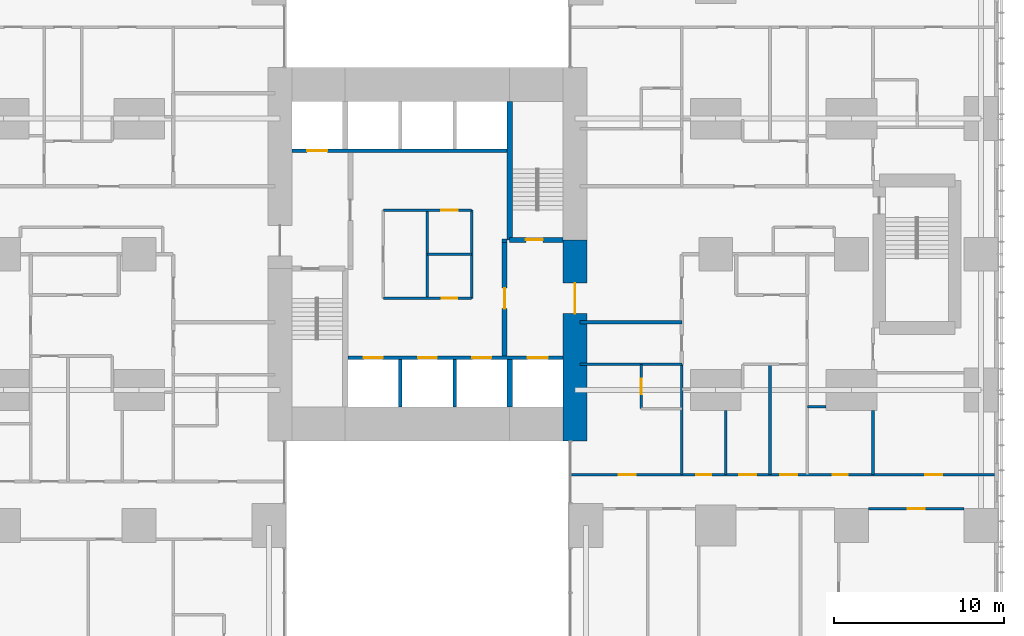
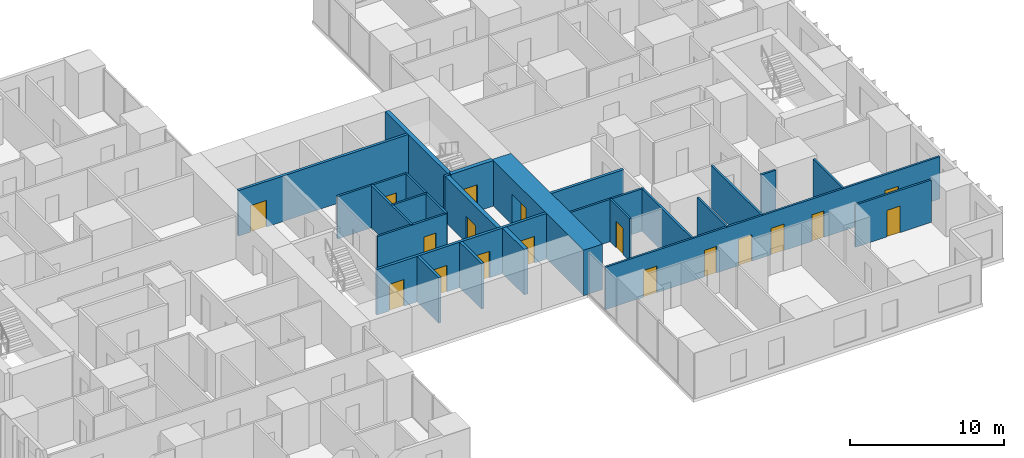
# One storey, part 15 of 21: 25 walls, 18 doors, 18 openings.
"""IFC4 building model written with IfcOpenShell, lengths in metres."""

from ifc_helpers import new_model, si_unit, direction, frame, frame_2d, origin, place, context, subcontext, project, spatial, rectangle, extrude, material, layer, layer_set, type_object, element, fill, save


model = new_model("IFC4")

# Units and contexts
model_context = context("Model", 3, precision=1e-05, world=origin(), true_north=direction((0.0, 1.0)))
body_context = subcontext(model_context, "Body", "Model", "MODEL_VIEW")
ifc_project = project(units=[si_unit("LENGTHUNIT", "METRE"), si_unit("AREAUNIT", "SQUARE_METRE"), si_unit("VOLUMEUNIT", "CUBIC_METRE"), si_unit("PLANEANGLEUNIT", "RADIAN"), si_unit("MASSUNIT", "GRAM", prefix="KILO")], contexts=[model_context])

# Site, building, storey
site_placement = place(None, origin())
site = spatial("IfcSite", under=ifc_project, at=site_placement, CompositionType="ELEMENT")
building_placement = place(site_placement, origin())
building = spatial("IfcBuilding", under=site, at=building_placement, Name="Cleftline Residences", CompositionType="ELEMENT")
storey_placement = place(building_placement, frame((0.0, 0.0, 161.0)))
storey = spatial("IfcBuildingStorey", under=building, at=storey_placement, Name="L42", CompositionType="ELEMENT", Elevation=161.0)

# Wall, opening, door
ifc_material_1 = material(Name="Concrete B70", Category="concrete")
ifc_layer_1 = layer(ifc_material_1, 1.39990234375)
ifc_layer_set_1 = layer_set([ifc_layer_1], Name="CORE WALL 1400")
wall_type_1 = type_object("IfcWallType", Name="CORE WALL 1400", PredefinedType="SHEAR", material=ifc_layer_set_1)
wall_1_placement = place(storey_placement, frame((41.699951171875, 13.0, 0.0), z_axis=(0.0, 0.0, 1.0), x_axis=(0.0, 1.0, 0.0)))
wall_1 = element("IfcWall", 1, at=wall_1_placement, inside=storey, type_object=wall_type_1, Name="Core wall E", PredefinedType="SHEAR", context=body_context, shape_type="SweptSolid", body=[
    extrude(rectangle(XDim=11.85009765625, YDim=1.39990234375, at=frame_2d((5.925048828125, 0.0))), origin(), (0.0, 0.0, 1.0), 3.60009765625),
])
opening_1_placement = place(wall_1_placement, frame((7.5, 0.0, 0.0)))
opening_1 = element("IfcOpeningElement", 2, at=opening_1_placement, cuts=wall_1, Name="Opening D7", PredefinedType="OPENING", context=body_context, shape_type="SweptSolid", body=[
    extrude(rectangle(XDim=1.800048828125, YDim=2.39990234375, at=frame_2d((0.89990234375, 1.199951171875))), frame((0.0, 0.7099609375, 0.0), z_axis=(0.0, -1.0, 0.0), x_axis=(1.0, 0.0, 0.0)), (0.0, 0.0, 1.0), 1.419921875),
])
ifc_material_2 = material(Name="Steel", Category="steel")
door_type_1 = type_object("IfcDoorType", Name="WING DOOR 1800X2400", OperationType="DOUBLE_DOOR_DOUBLE_SWING", PredefinedType="DOOR", material=ifc_material_2)
door_1_placement = place(opening_1_placement, origin())
door_1 = element("IfcDoor", 3, at=door_1_placement, inside=storey, type_object=door_type_1, Name="East wing door", OperationType="DOUBLE_DOOR_DOUBLE_SWING", OverallHeight=2.39990234375, OverallWidth=1.800048828125, PredefinedType="DOOR", context=body_context, shape_type="SweptSolid", body=[
    extrude(rectangle(XDim=1.800048828125, YDim=2.39990234375, at=frame_2d((0.89990234375, 1.199951171875))), frame((0.0, 0.02490234375, 0.0), z_axis=(0.0, -1.0, 0.0), x_axis=(1.0, 0.0, 0.0)), (0.0, 0.0, 1.0), 0.050048828125),
])
fill(opening_1, door_1)

# Wall
ifc_material_3 = material(Name="Concrete B70", Category="concrete")
ifc_layer_2 = layer(ifc_material_3, 0.300048828125)
ifc_layer_set_2 = layer_set([ifc_layer_2], Name="CORE WALL 300")
wall_type_2 = type_object("IfcWallType", Name="CORE WALL 300", PredefinedType="SHEAR", material=ifc_layer_set_2)
wall_2_placement = place(storey_placement, frame((37.85009765625, 24.85009765625, 0.0), z_axis=(0.0, 0.0, 1.0), x_axis=(0.0, 1.0, 0.0)))
element("IfcWall", 4, at=wall_2_placement, inside=storey, type_object=wall_type_2, Name="Core wall SB-W", PredefinedType="SHEAR", context=body_context, shape_type="SweptSolid", body=[
    extrude(rectangle(XDim=8.14990234375, YDim=0.300048828125, at=frame_2d((4.074951171875, 0.0))), origin(), (0.0, 0.0, 1.0), 3.60009765625),
])

# Wall, opening, door
wall_3_placement = place(storey_placement, frame((37.85009765625, 24.85009765625, 0.0), z_axis=(0.0, 0.0, 1.0), x_axis=(1.0, 0.0, 0.0)))
wall_3 = element("IfcWall", 5, at=wall_3_placement, inside=storey, type_object=wall_type_2, Name="Core wall SB-S", PredefinedType="SHEAR", context=body_context, shape_type="SweptSolid", body=[
    extrude(rectangle(XDim=3.14990234375, YDim=0.300048828125, at=frame_2d((1.574951171875, 0.0))), origin(), (0.0, 0.0, 1.0), 3.60009765625),
])
opening_2_placement = place(wall_3_placement, frame((0.949951171875, 0.0, 0.0)))
opening_2 = element("IfcOpeningElement", 6, at=opening_2_placement, cuts=wall_3, Name="Opening D5", PredefinedType="OPENING", context=body_context, shape_type="SweptSolid", body=[
    extrude(rectangle(XDim=1.0, YDim=2.10009765625, at=frame_2d((0.5, 1.050048828125))), frame((0.0, 0.159912109375, 0.0), z_axis=(0.0, -1.0, 0.0), x_axis=(1.0, 0.0, 0.0)), (0.0, 0.0, 1.0), 0.320068359375),
])
ifc_material_4 = material(Name="Steel", Category="steel")
door_type_2 = type_object("IfcDoorType", Name="STAIR DOOR 1000X2100", OperationType="SINGLE_SWING_LEFT", PredefinedType="DOOR", material=ifc_material_4)
door_2_placement = place(opening_2_placement, origin())
door_2 = element("IfcDoor", 7, at=door_2_placement, inside=storey, type_object=door_type_2, Name="Stair B door", OperationType="SINGLE_SWING_RIGHT", OverallHeight=2.10009765625, OverallWidth=1.0, PredefinedType="DOOR", context=body_context, shape_type="SweptSolid", body=[
    extrude(rectangle(XDim=1.0, YDim=2.10009765625, at=frame_2d((0.5, 1.050048828125))), frame((0.0, 0.02490234375, 0.0), z_axis=(0.0, -1.0, 0.0), x_axis=(1.0, 0.0, 0.0)), (0.0, 0.0, 1.0), 0.050048828125),
])
fill(opening_2, door_2)

# Walls
wall_4_placement = place(storey_placement, frame((37.85009765625, 15.0, 0.0), z_axis=(0.0, 0.0, 1.0), x_axis=(0.0, 1.0, 0.0)))
element("IfcWall", 8, at=wall_4_placement, inside=storey, type_object=wall_type_2, Name="Lift shaft wall", PredefinedType="SHEAR", context=body_context, shape_type="SweptSolid", body=[
    extrude(rectangle(XDim=2.800048828125, YDim=0.300048828125, at=frame_2d((1.39990234375, 0.0))), origin(), (0.0, 0.0, 1.0), 3.60009765625),
])
ifc_material_5 = material(Name="Concrete blockwork, fire rated", Category="masonry")
ifc_layer_3 = layer(ifc_material_5, 0.199951171875)
ifc_layer_set_3 = layer_set([ifc_layer_3], Name="FIRE WALL 200")
wall_type_3 = type_object("IfcWallType", Name="FIRE WALL 200", PredefinedType="PARTITIONING", material=ifc_layer_set_3)
wall_5_placement = place(storey_placement, frame((42.0, 20.0, 0.0), z_axis=(0.0, 0.0, 1.0), x_axis=(1.0, 0.0, 0.0)))
element("IfcWall", 9, at=wall_5_placement, inside=storey, type_object=wall_type_3, Name="Fire separating wall", PredefinedType="PARTITIONING", context=body_context, shape_type="SweptSolid", body=[
    extrude(rectangle(XDim=6.0, YDim=0.199951171875, at=frame_2d((3.0, 0.0))), origin(), (0.0, 0.0, 1.0), 3.35009765625),
])
wall_6_placement = place(storey_placement, frame((37.39990234375, 24.800048828125, 0.0), z_axis=(0.0, 0.0, 1.0), x_axis=(1.0, 0.0, 0.0)))
element("IfcWall", 10, at=wall_6_placement, inside=storey, type_object=wall_type_3, Name="Fire separating wall", PredefinedType="PARTITIONING", context=body_context, shape_type="SweptSolid", body=[
    extrude(rectangle(XDim=0.300048828125, YDim=0.199951171875, at=frame_2d((0.14990234375, 0.0))), origin(), (0.0, 0.0, 1.0), 3.60009765625),
])

# Wall, opening, door
ifc_material_6 = material(Name="Gypsum board on steel studs", Category="steel")
ifc_layer_4 = layer(ifc_material_6, 0.14990234375)
ifc_layer_set_4 = layer_set([ifc_layer_4], Name="PARTITION 150")
wall_type_4 = type_object("IfcWallType", Name="PARTITION 150", PredefinedType="PARTITIONING", material=ifc_layer_set_4)
wall_7_placement = place(storey_placement, frame((59.0, 9.0, 0.0), z_axis=(0.0, 0.0, 1.0), x_axis=(1.0, 0.0, 0.0)))
wall_7 = element("IfcWall", 11, at=wall_7_placement, inside=storey, type_object=wall_type_4, Name="Partition", PredefinedType="PARTITIONING", context=body_context, shape_type="SweptSolid", body=[
    extrude(rectangle(XDim=5.64990234375, YDim=0.14990234375, at=frame_2d((2.824951171875, 0.0))), origin(), (0.0, 0.0, 1.0), 3.35009765625),
])
opening_3_placement = place(wall_7_placement, frame((2.324951171875, 0.0, 0.0)))
opening_3 = element("IfcOpeningElement", 12, at=opening_3_placement, cuts=wall_7, Name="Opening D2", PredefinedType="OPENING", context=body_context, shape_type="SweptSolid", body=[
    extrude(rectangle(XDim=1.0, YDim=2.10009765625, at=frame_2d((0.5, 1.050048828125))), frame((0.0, 0.0849609375, 0.0), z_axis=(0.0, -1.0, 0.0), x_axis=(1.0, 0.0, 0.0)), (0.0, 0.0, 1.0), 0.169921875),
])
ifc_material_7 = material(Name="Timber veneer on solid core", Category="wood")
door_type_3 = type_object("IfcDoorType", Name="DOOR 1000X2100", OperationType="SINGLE_SWING_LEFT", PredefinedType="DOOR", material=ifc_material_7)
door_3_placement = place(opening_3_placement, origin())
door_3 = element("IfcDoor", 13, at=door_3_placement, inside=storey, type_object=door_type_3, Name="Door to sea-view living room", OperationType="SINGLE_SWING_LEFT", OverallHeight=2.10009765625, OverallWidth=1.0, PredefinedType="DOOR", context=body_context, shape_type="SweptSolid", body=[
    extrude(rectangle(XDim=1.0, YDim=2.10009765625, at=frame_2d((0.5, 1.050048828125))), frame((0.0, 0.02490234375, 0.0), z_axis=(0.0, -1.0, 0.0), x_axis=(1.0, 0.0, 0.0)), (0.0, 0.0, 1.0), 0.050048828125),
])
fill(opening_3, door_3)

# Wall, openings, doors
wall_8_placement = place(storey_placement, frame((41.43896484375, 11.0, 0.0), z_axis=(0.0, 0.0, 1.0), x_axis=(1.0, 0.0, 0.0)))
wall_8 = element("IfcWall", 14, at=wall_8_placement, inside=storey, type_object=wall_type_4, Name="Partition", PredefinedType="PARTITIONING", context=body_context, shape_type="SweptSolid", body=[
    extrude(rectangle(XDim=25.010986328125, YDim=0.14990234375, at=frame_2d((12.50537109375, 0.0))), origin(), (0.0, 0.0, 1.0), 3.35009765625),
])
opening_4_placement = place(wall_8_placement, frame((12.361083984375, 0.0, 0.0)))
opening_4 = element("IfcOpeningElement", 15, at=opening_4_placement, cuts=wall_8, Name="Opening D2F30", PredefinedType="OPENING", context=body_context, shape_type="SweptSolid", body=[
    extrude(rectangle(XDim=1.0, YDim=2.10009765625, at=frame_2d((0.5, 1.050048828125))), frame((0.0, 0.0849609375, 0.0), z_axis=(0.0, -1.0, 0.0), x_axis=(1.0, 0.0, 0.0)), (0.0, 0.0, 1.0), 0.169921875),
])
opening_5_placement = place(wall_8_placement, frame((20.923583984375, 0.0, 0.0)))
opening_5 = element("IfcOpeningElement", 16, at=opening_5_placement, cuts=wall_8, Name="Opening D2F30", PredefinedType="OPENING", context=body_context, shape_type="SweptSolid", body=[
    extrude(rectangle(XDim=1.0, YDim=2.10009765625, at=frame_2d((0.5, 1.050048828125))), frame((0.0, 0.0849609375, 0.0), z_axis=(0.0, -1.0, 0.0), x_axis=(1.0, 0.0, 0.0)), (0.0, 0.0, 1.0), 0.169921875),
])
opening_6_placement = place(wall_8_placement, frame((15.448486328125, 0.0, 0.0)))
opening_6 = element("IfcOpeningElement", 17, at=opening_6_placement, cuts=wall_8, Name="Opening D1F30", PredefinedType="OPENING", context=body_context, shape_type="SweptSolid", body=[
    extrude(rectangle(XDim=0.89990234375, YDim=2.10009765625, at=frame_2d((0.449951171875, 1.050048828125))), frame((0.0, 0.0849609375, 0.0), z_axis=(0.0, -1.0, 0.0), x_axis=(1.0, 0.0, 0.0)), (0.0, 0.0, 1.0), 0.169921875),
])
opening_7_placement = place(wall_8_placement, frame((9.9609375, 0.0, 0.0)))
opening_7 = element("IfcOpeningElement", 18, at=opening_7_placement, cuts=wall_8, Name="Opening D2F30", PredefinedType="OPENING", context=body_context, shape_type="SweptSolid", body=[
    extrude(rectangle(XDim=1.0, YDim=2.10009765625, at=frame_2d((0.5, 1.050048828125))), frame((0.0, 0.0849609375, 0.0), z_axis=(0.0, -1.0, 0.0), x_axis=(1.0, 0.0, 0.0)), (0.0, 0.0, 1.0), 0.169921875),
])
opening_8_placement = place(wall_8_placement, frame((7.410888671875, 0.0, 0.0)))
opening_8 = element("IfcOpeningElement", 19, at=opening_8_placement, cuts=wall_8, Name="Opening D1F30", PredefinedType="OPENING", context=body_context, shape_type="SweptSolid", body=[
    extrude(rectangle(XDim=0.89990234375, YDim=2.10009765625, at=frame_2d((0.449951171875, 1.050048828125))), frame((0.0, 0.0849609375, 0.0), z_axis=(0.0, -1.0, 0.0), x_axis=(1.0, 0.0, 0.0)), (0.0, 0.0, 1.0), 0.169921875),
])
opening_9_placement = place(wall_8_placement, frame((2.8359375, 0.0, 0.0)))
opening_9 = element("IfcOpeningElement", 20, at=opening_9_placement, cuts=wall_8, Name="Opening D2F30", PredefinedType="OPENING", context=body_context, shape_type="SweptSolid", body=[
    extrude(rectangle(XDim=1.0, YDim=2.10009765625, at=frame_2d((0.5, 1.050048828125))), frame((0.0, 0.0849609375, 0.0), z_axis=(0.0, -1.0, 0.0), x_axis=(1.0, 0.0, 0.0)), (0.0, 0.0, 1.0), 0.169921875),
])
ifc_material_8 = material(Name="Timber veneer on solid core", Category="wood")
door_type_4 = type_object("IfcDoorType", Name="DOOR 1000X2100 EI 30", OperationType="SINGLE_SWING_LEFT", PredefinedType="DOOR", material=ifc_material_8)
door_4_placement = place(opening_4_placement, origin())
door_4 = element("IfcDoor", 21, at=door_4_placement, inside=storey, type_object=door_type_4, Name="Door to residence hall (gallery)", OperationType="SINGLE_SWING_LEFT", OverallHeight=2.10009765625, OverallWidth=1.0, PredefinedType="DOOR", context=body_context, shape_type="SweptSolid", body=[
    extrude(rectangle(XDim=1.0, YDim=2.10009765625, at=frame_2d((0.5, 1.050048828125))), frame((0.0, 0.02490234375, 0.0), z_axis=(0.0, -1.0, 0.0), x_axis=(1.0, 0.0, 0.0)), (0.0, 0.0, 1.0), 0.050048828125),
])
fill(opening_4, door_4)
door_5_placement = place(opening_5_placement, origin())
door_5 = element("IfcDoor", 22, at=door_5_placement, inside=storey, type_object=door_type_4, Name="Door to altar room", OperationType="SINGLE_SWING_LEFT", OverallHeight=2.10009765625, OverallWidth=1.0, PredefinedType="DOOR", context=body_context, shape_type="SweptSolid", body=[
    extrude(rectangle(XDim=1.0, YDim=2.10009765625, at=frame_2d((0.5, 1.050048828125))), frame((0.0, 0.02490234375, 0.0), z_axis=(0.0, -1.0, 0.0), x_axis=(1.0, 0.0, 0.0)), (0.0, 0.0, 1.0), 0.050048828125),
])
fill(opening_5, door_5)
door_6_placement = place(opening_7_placement, origin())
door_6 = element("IfcDoor", 23, at=door_6_placement, inside=storey, type_object=door_type_4, Name="Door to wet kitchen", OperationType="SINGLE_SWING_RIGHT", OverallHeight=2.10009765625, OverallWidth=1.0, PredefinedType="DOOR", context=body_context, shape_type="SweptSolid", body=[
    extrude(rectangle(XDim=1.0, YDim=2.10009765625, at=frame_2d((0.5, 1.050048828125))), frame((0.0, 0.02490234375, 0.0), z_axis=(0.0, -1.0, 0.0), x_axis=(1.0, 0.0, 0.0)), (0.0, 0.0, 1.0), 0.050048828125),
])
fill(opening_7, door_6)
door_7_placement = place(opening_9_placement, origin())
door_7 = element("IfcDoor", 24, at=door_7_placement, inside=storey, type_object=door_type_4, Name="Door to staff bedroom", OperationType="SINGLE_SWING_RIGHT", OverallHeight=2.10009765625, OverallWidth=1.0, PredefinedType="DOOR", context=body_context, shape_type="SweptSolid", body=[
    extrude(rectangle(XDim=1.0, YDim=2.10009765625, at=frame_2d((0.5, 1.050048828125))), frame((0.0, 0.02490234375, 0.0), z_axis=(0.0, -1.0, 0.0), x_axis=(1.0, 0.0, 0.0)), (0.0, 0.0, 1.0), 0.050048828125),
])
fill(opening_9, door_7)
ifc_material_9 = material(Name="Timber veneer on solid core", Category="wood")
door_type_5 = type_object("IfcDoorType", Name="DOOR 900X2100 EI 30", OperationType="SINGLE_SWING_LEFT", PredefinedType="DOOR", material=ifc_material_9)
door_8_placement = place(opening_6_placement, origin())
door_8 = element("IfcDoor", 25, at=door_8_placement, inside=storey, type_object=door_type_5, Name="Door to store room", OperationType="SINGLE_SWING_LEFT", OverallHeight=2.10009765625, OverallWidth=0.89990234375, PredefinedType="DOOR", context=body_context, shape_type="SweptSolid", body=[
    extrude(rectangle(XDim=0.89990234375, YDim=2.10009765625, at=frame_2d((0.449951171875, 1.050048828125))), frame((0.0, 0.02490234375, 0.0), z_axis=(0.0, -1.0, 0.0), x_axis=(1.0, 0.0, 0.0)), (0.0, 0.0, 1.0), 0.050048828125),
])
fill(opening_6, door_8)
door_9_placement = place(opening_8_placement, origin())
door_9 = element("IfcDoor", 26, at=door_9_placement, inside=storey, type_object=door_type_5, Name="Door to pantry", OperationType="SINGLE_SWING_RIGHT", OverallHeight=2.10009765625, OverallWidth=0.89990234375, PredefinedType="DOOR", context=body_context, shape_type="SweptSolid", body=[
    extrude(rectangle(XDim=0.89990234375, YDim=2.10009765625, at=frame_2d((0.449951171875, 1.050048828125))), frame((0.0, 0.02490234375, 0.0), z_axis=(0.0, -1.0, 0.0), x_axis=(1.0, 0.0, 0.0)), (0.0, 0.0, 1.0), 0.050048828125),
])
fill(opening_8, door_9)

# Walls
wall_9_placement = place(storey_placement, frame((55.39990234375, 15.0, 0.0), z_axis=(0.0, 0.0, 1.0), x_axis=(1.0, 0.0, 0.0)))
element("IfcWall", 27, at=wall_9_placement, inside=storey, type_object=wall_type_4, Name="Partition", PredefinedType="PARTITIONING", context=body_context, shape_type="SweptSolid", body=[
    extrude(rectangle(XDim=1.10009765625, YDim=0.14990234375, at=frame_2d((0.550048828125, 0.0))), origin(), (0.0, 0.0, 1.0), 3.35009765625),
])
wall_10_placement = place(storey_placement, frame((42.0, 17.5, 0.0), z_axis=(0.0, 0.0, 1.0), x_axis=(1.0, 0.0, 0.0)))
element("IfcWall", 28, at=wall_10_placement, inside=storey, type_object=wall_type_4, Name="Partition", PredefinedType="PARTITIONING", context=body_context, shape_type="SweptSolid", body=[
    extrude(rectangle(XDim=6.0, YDim=0.14990234375, at=frame_2d((3.0, 0.0))), origin(), (0.0, 0.0, 1.0), 3.35009765625),
])

# Wall, opening, door
wall_11_placement = place(storey_placement, frame((45.60009765625, 14.89990234375, 0.0), z_axis=(0.0, 0.0, 1.0), x_axis=(0.0, 1.0, 0.0)))
wall_11 = element("IfcWall", 29, at=wall_11_placement, inside=storey, type_object=wall_type_4, Name="Partition", PredefinedType="PARTITIONING", context=body_context, shape_type="SweptSolid", body=[
    extrude(rectangle(XDim=2.60009765625, YDim=0.14990234375, at=frame_2d((1.300048828125, 0.0))), origin(), (0.0, 0.0, 1.0), 3.35009765625),
])
opening_10_placement = place(wall_11_placement, frame((0.85009765625, 0.0, 0.0)))
opening_10 = element("IfcOpeningElement", 30, at=opening_10_placement, cuts=wall_11, Name="Opening D1", PredefinedType="OPENING", context=body_context, shape_type="SweptSolid", body=[
    extrude(rectangle(XDim=0.89990234375, YDim=2.10009765625, at=frame_2d((0.449951171875, 1.050048828125))), frame((0.0, 0.0849609375, 0.0), z_axis=(0.0, -1.0, 0.0), x_axis=(1.0, 0.0, 0.0)), (0.0, 0.0, 1.0), 0.169921875),
])
ifc_material_10 = material(Name="Timber veneer on solid core", Category="wood")
door_type_6 = type_object("IfcDoorType", Name="DOOR 900X2100", OperationType="SINGLE_SWING_LEFT", PredefinedType="DOOR", material=ifc_material_10)
door_10_placement = place(opening_10_placement, origin())
door_10 = element("IfcDoor", 31, at=door_10_placement, inside=storey, type_object=door_type_6, Name="Door to staff shower room", OperationType="SINGLE_SWING_LEFT", OverallHeight=2.10009765625, OverallWidth=0.89990234375, PredefinedType="DOOR", context=body_context, shape_type="SweptSolid", body=[
    extrude(rectangle(XDim=0.89990234375, YDim=2.10009765625, at=frame_2d((0.449951171875, 1.050048828125))), frame((0.0, 0.02490234375, 0.0), z_axis=(0.0, -1.0, 0.0), x_axis=(1.0, 0.0, 0.0)), (0.0, 0.0, 1.0), 0.050048828125),
])
fill(opening_10, door_10)

# Walls
wall_12_placement = place(storey_placement, frame((48.0, 11.0, 0.0), z_axis=(0.0, 0.0, 1.0), x_axis=(0.0, 1.0, 0.0)))
element("IfcWall", 32, at=wall_12_placement, inside=storey, type_object=wall_type_4, Name="Partition", PredefinedType="PARTITIONING", context=body_context, shape_type="SweptSolid", body=[
    extrude(rectangle(XDim=6.5, YDim=0.14990234375, at=frame_2d((3.25, 0.0))), origin(), (0.0, 0.0, 1.0), 3.35009765625),
])
wall_13_placement = place(storey_placement, frame((50.60009765625, 11.0, 0.0), z_axis=(0.0, 0.0, 1.0), x_axis=(0.0, 1.0, 0.0)))
element("IfcWall", 33, at=wall_13_placement, inside=storey, type_object=wall_type_4, Name="Partition", PredefinedType="PARTITIONING", context=body_context, shape_type="SweptSolid", body=[
    extrude(rectangle(XDim=3.800048828125, YDim=0.14990234375, at=frame_2d((1.89990234375, 0.0))), origin(), (0.0, 0.0, 1.0), 3.35009765625),
])
wall_14_placement = place(storey_placement, frame((53.199951171875, 11.0, 0.0), z_axis=(0.0, 0.0, 1.0), x_axis=(0.0, 1.0, 0.0)))
element("IfcWall", 34, at=wall_14_placement, inside=storey, type_object=wall_type_4, Name="Partition", PredefinedType="PARTITIONING", context=body_context, shape_type="SweptSolid", body=[
    extrude(rectangle(XDim=6.5, YDim=0.14990234375, at=frame_2d((3.25, 0.0))), origin(), (0.0, 0.0, 1.0), 3.35009765625),
])
wall_15_placement = place(storey_placement, frame((59.27490234375, 11.0, 0.0), z_axis=(0.0, 0.0, 1.0), x_axis=(0.0, 1.0, 0.0)))
element("IfcWall", 35, at=wall_15_placement, inside=storey, type_object=wall_type_4, Name="Partition", PredefinedType="PARTITIONING", context=body_context, shape_type="SweptSolid", body=[
    extrude(rectangle(XDim=3.800048828125, YDim=0.14990234375, at=frame_2d((1.89990234375, 0.0))), origin(), (0.0, 0.0, 1.0), 3.35009765625),
])

# Wall, opening, door
ifc_material_11 = material(Name="Fire-resisting gypsum board on steel studs", Category="steel")
ifc_layer_5 = layer(ifc_material_11, 0.14990234375)
ifc_layer_set_5 = layer_set([ifc_layer_5], Name="PARTITION 150 EI 60")
wall_type_5 = type_object("IfcWallType", Name="PARTITION 150 EI 60", PredefinedType="PARTITIONING", material=ifc_layer_set_5)
wall_16_placement = place(storey_placement, frame((30.39990234375, 21.39990234375, 0.0), z_axis=(0.0, 0.0, 1.0), x_axis=(1.0, 0.0, 0.0)))
wall_16 = element("IfcWall", 36, at=wall_16_placement, inside=storey, type_object=wall_type_5, Name="Core room partition", PredefinedType="PARTITIONING", context=body_context, shape_type="SweptSolid", body=[
    extrude(rectangle(XDim=5.2001953125, YDim=0.14990234375, at=frame_2d((2.60009765625, 0.0))), origin(), (0.0, 0.0, 1.0), 3.35009765625),
])
opening_11_placement = place(wall_16_placement, frame((3.449951171875, 0.0, 0.0)))
opening_11 = element("IfcOpeningElement", 37, at=opening_11_placement, cuts=wall_16, Name="Opening D1F30", PredefinedType="OPENING", context=body_context, shape_type="SweptSolid", body=[
    extrude(rectangle(XDim=0.89990234375, YDim=2.10009765625, at=frame_2d((0.449951171875, 1.050048828125))), frame((0.0, 0.0849609375, 0.0), z_axis=(0.0, -1.0, 0.0), x_axis=(1.0, 0.0, 0.0)), (0.0, 0.0, 1.0), 0.169921875),
])
door_11_placement = place(opening_11_placement, origin())
door_11 = element("IfcDoor", 38, at=door_11_placement, inside=storey, type_object=door_type_5, Name="Door to guest pantry", OperationType="SINGLE_SWING_LEFT", OverallHeight=2.10009765625, OverallWidth=0.89990234375, PredefinedType="DOOR", context=body_context, shape_type="SweptSolid", body=[
    extrude(rectangle(XDim=0.89990234375, YDim=2.10009765625, at=frame_2d((0.449951171875, 1.050048828125))), frame((0.0, 0.02490234375, 0.0), z_axis=(0.0, -1.0, 0.0), x_axis=(1.0, 0.0, 0.0)), (0.0, 0.0, 1.0), 0.050048828125),
])
fill(opening_11, door_11)

wall_17_placement = place(storey_placement, frame((30.39990234375, 26.60009765625, 0.0), z_axis=(0.0, 0.0, 1.0), x_axis=(1.0, 0.0, 0.0)))
wall_17 = element("IfcWall", 39, at=wall_17_placement, inside=storey, type_object=wall_type_5, Name="Core room partition", PredefinedType="PARTITIONING", context=body_context, shape_type="SweptSolid", body=[
    extrude(rectangle(XDim=5.2001953125, YDim=0.14990234375, at=frame_2d((2.60009765625, 0.0))), origin(), (0.0, 0.0, 1.0), 3.35009765625),
])
opening_12_placement = place(wall_17_placement, frame((3.39990234375, 0.0, 0.0)))
opening_12 = element("IfcOpeningElement", 40, at=opening_12_placement, cuts=wall_17, Name="Opening D2F60", PredefinedType="OPENING", context=body_context, shape_type="SweptSolid", body=[
    extrude(rectangle(XDim=1.0, YDim=2.10009765625, at=frame_2d((0.5, 1.050048828125))), frame((0.0, 0.0849609375, 0.0), z_axis=(0.0, -1.0, 0.0), x_axis=(1.0, 0.0, 0.0)), (0.0, 0.0, 1.0), 0.169921875),
])
ifc_material_12 = material(Name="Timber veneer on solid core", Category="wood")
door_type_7 = type_object("IfcDoorType", Name="DOOR 1000X2100 EI 60", OperationType="SINGLE_SWING_LEFT", PredefinedType="DOOR", material=ifc_material_12)
door_12_placement = place(opening_12_placement, origin())
door_12 = element("IfcDoor", 41, at=door_12_placement, inside=storey, type_object=door_type_7, Name="Door to communications room", OperationType="SINGLE_SWING_LEFT", OverallHeight=2.10009765625, OverallWidth=1.0, PredefinedType="DOOR", context=body_context, shape_type="SweptSolid", body=[
    extrude(rectangle(XDim=1.0, YDim=2.10009765625, at=frame_2d((0.5, 1.050048828125))), frame((0.0, 0.02490234375, 0.0), z_axis=(0.0, -1.0, 0.0), x_axis=(1.0, 0.0, 0.0)), (0.0, 0.0, 1.0), 0.050048828125),
])
fill(opening_12, door_12)

# Walls
wall_18_placement = place(storey_placement, frame((35.60009765625, 21.39990234375, 0.0), z_axis=(0.0, 0.0, 1.0), x_axis=(0.0, 1.0, 0.0)))
element("IfcWall", 42, at=wall_18_placement, inside=storey, type_object=wall_type_5, Name="Core room partition", PredefinedType="PARTITIONING", context=body_context, shape_type="SweptSolid", body=[
    extrude(rectangle(XDim=5.2001953125, YDim=0.14990234375, at=frame_2d((2.60009765625, 0.0))), origin(), (0.0, 0.0, 1.0), 3.35009765625),
])
wall_19_placement = place(storey_placement, frame((33.0, 24.0, 0.0), z_axis=(0.0, 0.0, 1.0), x_axis=(1.0, 0.0, 0.0)))
element("IfcWall", 43, at=wall_19_placement, inside=storey, type_object=wall_type_5, Name="Core room partition", PredefinedType="PARTITIONING", context=body_context, shape_type="SweptSolid", body=[
    extrude(rectangle(XDim=2.60009765625, YDim=0.14990234375, at=frame_2d((1.300048828125, 0.0))), origin(), (0.0, 0.0, 1.0), 3.35009765625),
])
wall_20_placement = place(storey_placement, frame((33.0, 21.39990234375, 0.0), z_axis=(0.0, 0.0, 1.0), x_axis=(0.0, 1.0, 0.0)))
element("IfcWall", 44, at=wall_20_placement, inside=storey, type_object=wall_type_5, Name="Core room partition", PredefinedType="PARTITIONING", context=body_context, shape_type="SweptSolid", body=[
    extrude(rectangle(XDim=5.2001953125, YDim=0.14990234375, at=frame_2d((2.60009765625, 0.0))), origin(), (0.0, 0.0, 1.0), 3.35009765625),
])

# Wall, openings, doors
ifc_material_13 = material(Name="Concrete blockwork, fire rated", Category="masonry")
ifc_layer_6 = layer(ifc_material_13, 0.199951171875)
ifc_layer_set_6 = layer_set([ifc_layer_6], Name="SHAFT WALL 200")
wall_type_6 = type_object("IfcWallType", Name="SHAFT WALL 200", PredefinedType="PARTITIONING", material=ifc_layer_set_6)
wall_21_placement = place(storey_placement, frame((28.300048828125, 17.89990234375, 0.0), z_axis=(0.0, 0.0, 1.0), x_axis=(1.0, 0.0, 0.0)))
wall_21 = element("IfcWall", 45, at=wall_21_placement, inside=storey, type_object=wall_type_6, Name="Lift shaft wall", PredefinedType="PARTITIONING", context=body_context, shape_type="SweptSolid", body=[
    extrude(rectangle(XDim=12.699951171875, YDim=0.199951171875, at=frame_2d((6.35009765625, 0.0))), origin(), (0.0, 0.0, 1.0), 3.60009765625),
])
opening_13_placement = place(wall_21_placement, frame((0.949951171875, 0.0, 0.0)))
opening_13 = element("IfcOpeningElement", 46, at=opening_13_placement, cuts=wall_21, Name="Opening LD1", PredefinedType="OPENING", context=body_context, shape_type="SweptSolid", body=[
    extrude(rectangle(XDim=1.10009765625, YDim=2.10009765625, at=frame_2d((0.550048828125, 1.050048828125))), frame((0.0, 0.10986328125, 0.0), z_axis=(0.0, -1.0, 0.0), x_axis=(1.0, 0.0, 0.0)), (0.0, 0.0, 1.0), 0.219970703125),
])
opening_14_placement = place(wall_21_placement, frame((4.14990234375, 0.0, 0.0)))
opening_14 = element("IfcOpeningElement", 47, at=opening_14_placement, cuts=wall_21, Name="Opening LD1", PredefinedType="OPENING", context=body_context, shape_type="SweptSolid", body=[
    extrude(rectangle(XDim=1.10009765625, YDim=2.10009765625, at=frame_2d((0.550048828125, 1.050048828125))), frame((0.0, 0.10986328125, 0.0), z_axis=(0.0, -1.0, 0.0), x_axis=(1.0, 0.0, 0.0)), (0.0, 0.0, 1.0), 0.219970703125),
])
opening_15_placement = place(wall_21_placement, frame((7.35009765625, 0.0, 0.0)))
opening_15 = element("IfcOpeningElement", 48, at=opening_15_placement, cuts=wall_21, Name="Opening LD1", PredefinedType="OPENING", context=body_context, shape_type="SweptSolid", body=[
    extrude(rectangle(XDim=1.10009765625, YDim=2.10009765625, at=frame_2d((0.550048828125, 1.050048828125))), frame((0.0, 0.10986328125, 0.0), z_axis=(0.0, -1.0, 0.0), x_axis=(1.0, 0.0, 0.0)), (0.0, 0.0, 1.0), 0.219970703125),
])
opening_16_placement = place(wall_21_placement, frame((10.60009765625, 0.0, 0.0)))
opening_16 = element("IfcOpeningElement", 49, at=opening_16_placement, cuts=wall_21, Name="Opening LD2", PredefinedType="OPENING", context=body_context, shape_type="SweptSolid", body=[
    extrude(rectangle(XDim=1.199951171875, YDim=2.10009765625, at=frame_2d((0.60009765625, 1.050048828125))), frame((0.0, 0.10986328125, 0.0), z_axis=(0.0, -1.0, 0.0), x_axis=(1.0, 0.0, 0.0)), (0.0, 0.0, 1.0), 0.219970703125),
])
ifc_material_14 = material(Name="Steel", Category="steel")
door_type_8 = type_object("IfcDoorType", Name="FIREFIGHTING LIFT LANDING DOOR 1200X2100", OperationType="SLIDING_TO_LEFT", PredefinedType="DOOR", material=ifc_material_14)
door_13_placement = place(opening_16_placement, origin())
door_13 = element("IfcDoor", 50, at=door_13_placement, inside=storey, type_object=door_type_8, Name="Lift FL2 landing door", OperationType="SLIDING_TO_LEFT", OverallHeight=2.10009765625, OverallWidth=1.199951171875, PredefinedType="DOOR", context=body_context, shape_type="SweptSolid", body=[
    extrude(rectangle(XDim=1.199951171875, YDim=2.10009765625, at=frame_2d((0.60009765625, 1.050048828125))), frame((0.0, 0.02490234375, 0.0), z_axis=(0.0, -1.0, 0.0), x_axis=(1.0, 0.0, 0.0)), (0.0, 0.0, 1.0), 0.050048828125),
])
fill(opening_16, door_13)
ifc_material_15 = material(Name="Steel", Category="steel")
door_type_9 = type_object("IfcDoorType", Name="LIFT LANDING DOOR 1100X2100", OperationType="SLIDING_TO_LEFT", PredefinedType="DOOR", material=ifc_material_15)
door_14_placement = place(opening_13_placement, origin())
door_14 = element("IfcDoor", 51, at=door_14_placement, inside=storey, type_object=door_type_9, Name="Lift P1 landing door", OperationType="SLIDING_TO_LEFT", OverallHeight=2.10009765625, OverallWidth=1.10009765625, PredefinedType="DOOR", context=body_context, shape_type="SweptSolid", body=[
    extrude(rectangle(XDim=1.10009765625, YDim=2.10009765625, at=frame_2d((0.550048828125, 1.050048828125))), frame((0.0, 0.02490234375, 0.0), z_axis=(0.0, -1.0, 0.0), x_axis=(1.0, 0.0, 0.0)), (0.0, 0.0, 1.0), 0.050048828125),
])
fill(opening_13, door_14)
door_15_placement = place(opening_14_placement, origin())
door_15 = element("IfcDoor", 52, at=door_15_placement, inside=storey, type_object=door_type_9, Name="Lift P2 landing door", OperationType="SLIDING_TO_LEFT", OverallHeight=2.10009765625, OverallWidth=1.10009765625, PredefinedType="DOOR", context=body_context, shape_type="SweptSolid", body=[
    extrude(rectangle(XDim=1.10009765625, YDim=2.10009765625, at=frame_2d((0.550048828125, 1.050048828125))), frame((0.0, 0.02490234375, 0.0), z_axis=(0.0, -1.0, 0.0), x_axis=(1.0, 0.0, 0.0)), (0.0, 0.0, 1.0), 0.050048828125),
])
fill(opening_14, door_15)
door_16_placement = place(opening_15_placement, origin())
door_16 = element("IfcDoor", 53, at=door_16_placement, inside=storey, type_object=door_type_9, Name="Lift P3 landing door", OperationType="SLIDING_TO_LEFT", OverallHeight=2.10009765625, OverallWidth=1.10009765625, PredefinedType="DOOR", context=body_context, shape_type="SweptSolid", body=[
    extrude(rectangle(XDim=1.10009765625, YDim=2.10009765625, at=frame_2d((0.550048828125, 1.050048828125))), frame((0.0, 0.02490234375, 0.0), z_axis=(0.0, -1.0, 0.0), x_axis=(1.0, 0.0, 0.0)), (0.0, 0.0, 1.0), 0.050048828125),
])
fill(opening_15, door_16)

# Wall, opening, door
wall_22_placement = place(storey_placement, frame((25.0, 30.10009765625, 0.0), z_axis=(0.0, 0.0, 1.0), x_axis=(1.0, 0.0, 0.0)))
wall_22 = element("IfcWall", 54, at=wall_22_placement, inside=storey, type_object=wall_type_6, Name="Lift shaft wall", PredefinedType="PARTITIONING", context=body_context, shape_type="SweptSolid", body=[
    extrude(rectangle(XDim=12.699951171875, YDim=0.199951171875, at=frame_2d((6.35009765625, 0.0))), origin(), (0.0, 0.0, 1.0), 3.60009765625),
])
opening_17_placement = place(wall_22_placement, frame((0.89990234375, 0.0, 0.0)))
opening_17 = element("IfcOpeningElement", 55, at=opening_17_placement, cuts=wall_22, Name="Opening LD2", PredefinedType="OPENING", context=body_context, shape_type="SweptSolid", body=[
    extrude(rectangle(XDim=1.199951171875, YDim=2.10009765625, at=frame_2d((0.60009765625, 1.050048828125))), frame((0.0, 0.10986328125, 0.0), z_axis=(0.0, -1.0, 0.0), x_axis=(1.0, 0.0, 0.0)), (0.0, 0.0, 1.0), 0.219970703125),
])
door_17_placement = place(opening_17_placement, origin())
door_17 = element("IfcDoor", 56, at=door_17_placement, inside=storey, type_object=door_type_8, Name="Lift FL1 landing door", OperationType="SLIDING_TO_LEFT", OverallHeight=2.10009765625, OverallWidth=1.199951171875, PredefinedType="DOOR", context=body_context, shape_type="SweptSolid", body=[
    extrude(rectangle(XDim=1.199951171875, YDim=2.10009765625, at=frame_2d((0.60009765625, 1.050048828125))), frame((0.0, 0.02490234375, 0.0), z_axis=(0.0, -1.0, 0.0), x_axis=(1.0, 0.0, 0.0)), (0.0, 0.0, 1.0), 0.050048828125),
])
fill(opening_17, door_17)

# Walls
for number, where, z_axis, x_axis, name in (
    (57, (31.39990234375, 15.0, 0.0), (0.0, 0.0, 1.0), (0.0, 1.0, 0.0), "Lift shaft wall"),
    (58, (34.60009765625, 15.0, 0.0), (0.0, 0.0, 1.0), (0.0, 1.0, 0.0), "Lift shaft wall"),
):
    element("IfcWall", number, at=place(storey_placement, frame(where, z_axis=z_axis, x_axis=x_axis)), inside=storey, type_object=wall_type_6, Name=name, PredefinedType="PARTITIONING", context=body_context, shape_type="SweptSolid", body=[
        extrude(rectangle(XDim=2.800048828125, YDim=0.199951171875, at=frame_2d((1.39990234375, 0.0))), origin(), (0.0, 0.0, 1.0), 3.60009765625),
    ])

# Wall, opening, door
ifc_material_16 = material(Name="Concrete blockwork, fire rated", Category="masonry")
ifc_layer_7 = layer(ifc_material_16, 0.300048828125)
ifc_layer_set_7 = layer_set([ifc_layer_7], Name="STAIR LOBBY WALL 300")
wall_type_7 = type_object("IfcWallType", Name="STAIR LOBBY WALL 300", PredefinedType="PARTITIONING", material=ifc_layer_set_7)
wall_23_placement = place(storey_placement, frame((37.550048828125, 18.0, 0.0), z_axis=(0.0, 0.0, 1.0), x_axis=(0.0, 1.0, 0.0)))
wall_23 = element("IfcWall", 59, at=wall_23_placement, inside=storey, type_object=wall_type_7, Name="Stair and lobby wall FB-W", PredefinedType="PARTITIONING", context=body_context, shape_type="SweptSolid", body=[
    extrude(rectangle(XDim=6.699951171875, YDim=0.300048828125, at=frame_2d((3.35009765625, 0.0))), origin(), (0.0, 0.0, 1.0), 3.60009765625),
])
opening_18_placement = place(wall_23_placement, frame((2.800048828125, 0.0, 0.0)))
opening_18 = element("IfcOpeningElement", 60, at=opening_18_placement, cuts=wall_23, Name="Opening D6", PredefinedType="OPENING", context=body_context, shape_type="SweptSolid", body=[
    extrude(rectangle(XDim=1.199951171875, YDim=2.10009765625, at=frame_2d((0.60009765625, 1.050048828125))), frame((0.0, 0.159912109375, 0.0), z_axis=(0.0, -1.0, 0.0), x_axis=(1.0, 0.0, 0.0)), (0.0, 0.0, 1.0), 0.320068359375),
])
ifc_material_17 = material(Name="Steel", Category="steel")
door_type_10 = type_object("IfcDoorType", Name="LOBBY DOOR 1200X2100", OperationType="SINGLE_SWING_RIGHT", PredefinedType="DOOR", material=ifc_material_17)
door_18_placement = place(opening_18_placement, origin())
door_18 = element("IfcDoor", 61, at=door_18_placement, inside=storey, type_object=door_type_10, Name="Firefighting lobby B door", OperationType="SINGLE_SWING_LEFT", OverallHeight=2.10009765625, OverallWidth=1.199951171875, PredefinedType="DOOR", context=body_context, shape_type="SweptSolid", body=[
    extrude(rectangle(XDim=1.199951171875, YDim=2.10009765625, at=frame_2d((0.60009765625, 1.050048828125))), frame((0.0, 0.02490234375, 0.0), z_axis=(0.0, -1.0, 0.0), x_axis=(1.0, 0.0, 0.0)), (0.0, 0.0, 1.0), 0.050048828125),
])
fill(opening_18, door_18)

save(model, "model.ifc")
